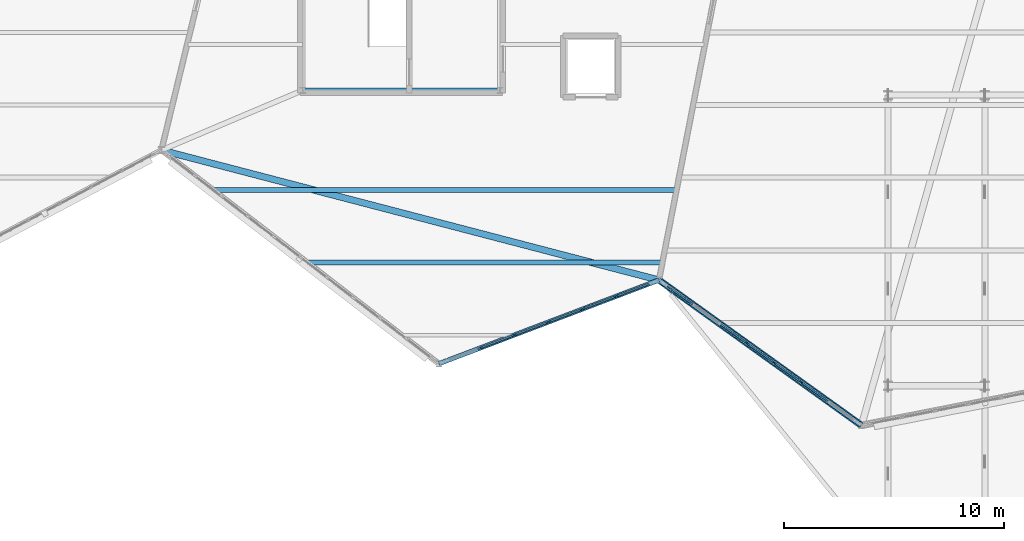
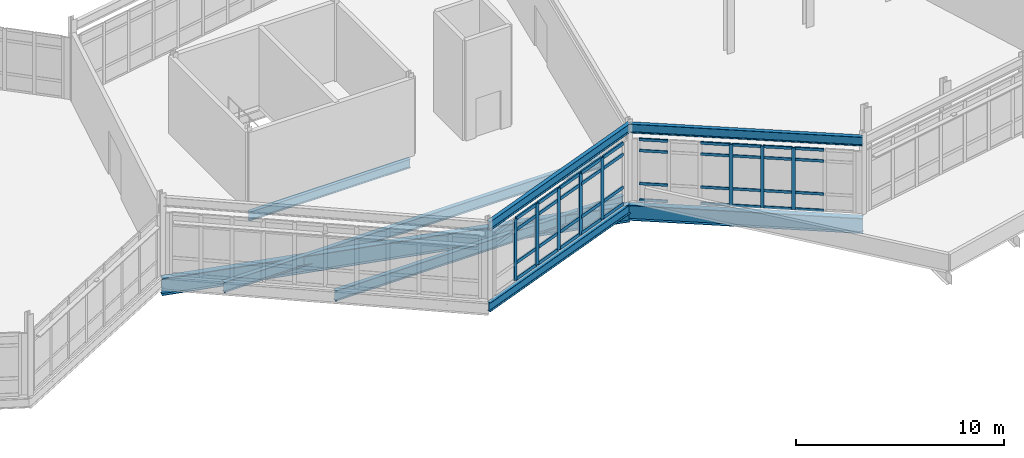
# One storey, part 21 of 76: 48 members, 8 beams, 2 elements without a shape of their own.
"""IFC4 building model written with IfcOpenShell, lengths in metres."""

from ifc_helpers import new_model, si_unit, direction, frame, origin, origin_2d, place, context, subcontext, project, spatial, rectangle, i_section, extrude, material, material_profile, profile_set, type_object, element, aggregate, save


model = new_model("IFC4")

# Units and contexts
model_context = context("Model", 3, precision=1e-05, world=origin(), true_north=direction((0.0, 1.0)))
body_context = subcontext(model_context, "Body", "Model", "MODEL_VIEW")
ifc_project = project(units=[si_unit("LENGTHUNIT", "METRE"), si_unit("AREAUNIT", "SQUARE_METRE"), si_unit("VOLUMEUNIT", "CUBIC_METRE"), si_unit("PLANEANGLEUNIT", "RADIAN"), si_unit("MASSUNIT", "GRAM", prefix="KILO")], contexts=[model_context])

# Site, building, storey
site_placement = place(None, origin())
site = spatial("IfcSite", under=ifc_project, at=site_placement, CompositionType="ELEMENT")
building_placement = place(site_placement, origin())
building = spatial("IfcBuilding", under=site, at=building_placement, Name="Tameran Prism Museum", CompositionType="ELEMENT")
storey_placement = place(building_placement, frame((0.0, 0.0, 15.0)))
storey = spatial("IfcBuildingStorey", under=building, at=storey_placement, Name="L03", CompositionType="ELEMENT", Elevation=15.0)

# Beams
ifc_material_1 = material(Name="Steel Grade 300PLUS (300 MPa)", Category="steel")
ifc_material_profile_1 = material_profile(ifc_material_1, i_section(OverallWidth=0.208984375, OverallDepth=0.532958984375, WebThickness=0.01025390625, FlangeThickness=0.015625, FilletRadius=0.013916015625, at=origin_2d()))
ifc_profile_set_1 = profile_set([ifc_material_profile_1])
beam_type_1 = type_object("IfcBeamType", Name="BM-SP530A", PredefinedType="SPANDREL", material=ifc_profile_set_1)
beam_1_placement = place(storey_placement, frame((110.699951171875, 18.5, -0.486572265625), z_axis=(0.934782064974, 0.355221749056, 0.0), x_axis=(-0.355221749056, 0.934782064974, 0.0)))
element("IfcBeam", 1, at=beam_1_placement, inside=storey, type_object=beam_type_1, Name="Perimeter Spandrel SP-0975", PredefinedType="SPANDREL", context=body_context, shape_type="SweptSolid", body=[
    extrude(i_section(OverallWidth=0.208984375, OverallDepth=0.532958984375, WebThickness=0.01025390625, FlangeThickness=0.015625, FilletRadius=0.013916015625, at=origin_2d()), origin(), (0.0, 0.0, 1.0), 10.69775390625),
])
ifc_material_2 = material(Name="Steel Grade 300PLUS (300 MPa)", Category="steel")
ifc_material_profile_2 = material_profile(ifc_material_2, i_section(OverallWidth=0.208984375, OverallDepth=0.528076171875, WebThickness=0.009521484375, FlangeThickness=0.01318359375, FilletRadius=0.013916015625, at=origin_2d()))
ifc_profile_set_2 = profile_set([ifc_material_profile_2])
beam_type_2 = type_object("IfcBeamType", Name="BM-SP530B", PredefinedType="SPANDREL", material=ifc_profile_set_2)
beam_2_placement = place(storey_placement, frame((110.699951171875, 18.5, 4.285888671875), z_axis=(0.934782064974, 0.355221749056, 0.0), x_axis=(-0.355221749056, 0.934782064974, 0.0)))
element("IfcBeam", 2, at=beam_2_placement, inside=storey, type_object=beam_type_2, Name="Roof Ring Beam RB-0979", PredefinedType="SPANDREL", context=body_context, shape_type="SweptSolid", body=[
    extrude(i_section(OverallWidth=0.208984375, OverallDepth=0.528076171875, WebThickness=0.009521484375, FlangeThickness=0.01318359375, FilletRadius=0.013916015625, at=origin_2d()), origin(), (0.0, 0.0, 1.0), 10.69775390625),
])
beam_3_placement = place(storey_placement, frame((120.699951171875, 22.300048828125, 4.256103515625), z_axis=(0.812532700231, -0.582915612293, 0.0), x_axis=(0.582915612293, 0.812532700231, 0.0)))
element("IfcBeam", 3, at=beam_3_placement, inside=storey, type_object=beam_type_2, Name="Roof Ring Beam RB-0989", PredefinedType="SPANDREL", context=body_context, shape_type="SweptSolid", body=[
    extrude(i_section(OverallWidth=0.208984375, OverallDepth=0.528076171875, WebThickness=0.009521484375, FlangeThickness=0.01318359375, FilletRadius=0.013916015625, at=origin_2d()), origin(), (0.0, 0.0, 1.0), 11.322509765625),
])
beam_4_placement = place(storey_placement, frame((104.52001953125, 30.919921875, -0.50390625), z_axis=(1.0, 0.0, 0.0), x_axis=(0.0, 1.0, 0.0)))
element("IfcBeam", 4, at=beam_4_placement, inside=storey, type_object=beam_type_2, Name="Core Ring Beam CTB-1034", PredefinedType="SPANDREL", context=body_context, shape_type="SweptSolid", body=[
    extrude(i_section(OverallWidth=0.208984375, OverallDepth=0.528076171875, WebThickness=0.009521484375, FlangeThickness=0.01318359375, FilletRadius=0.013916015625, at=origin_2d()), origin(), (0.0, 0.0, 1.0), 8.9599609375),
])
ifc_material_3 = material(Name="Steel Grade 300PLUS (300 MPa)", Category="steel")
ifc_material_profile_3 = material_profile(ifc_material_3, i_section(OverallWidth=0.22802734375, OverallDepth=0.60693359375, WebThickness=0.01123046875, FlangeThickness=0.017333984375, FilletRadius=0.013916015625, at=origin_2d()))
ifc_profile_set_3 = profile_set([ifc_material_profile_3])
beam_type_3 = type_object("IfcBeamType", Name="BM-UB610B", PredefinedType="BEAM", material=ifc_profile_set_3)
beam_5_placement = place(storey_placement, frame((104.7900390625, 23.10009765625, -0.5234375), z_axis=(1.0, 0.0, 0.0), x_axis=(0.0, 1.0, 0.0)))
element("IfcBeam", 5, at=beam_5_placement, inside=storey, type_object=beam_type_3, Name="Floor Beam BM-1105", PredefinedType="BEAM", context=body_context, shape_type="SweptSolid", body=[
    extrude(i_section(OverallWidth=0.22802734375, OverallDepth=0.60693359375, WebThickness=0.01123046875, FlangeThickness=0.017333984375, FilletRadius=0.013916015625, at=origin_2d()), origin(), (0.0, 0.0, 1.0), 16.02490234375),
])
beam_6_placement = place(storey_placement, frame((100.50390625, 26.39990234375, -0.5234375), z_axis=(1.0, 0.0, 0.0), x_axis=(0.0, 1.0, 0.0)))
element("IfcBeam", 6, at=beam_6_placement, inside=storey, type_object=beam_type_3, Name="Floor Beam BM-1106", PredefinedType="BEAM", context=body_context, shape_type="SweptSolid", body=[
    extrude(i_section(OverallWidth=0.22802734375, OverallDepth=0.60693359375, WebThickness=0.01123046875, FlangeThickness=0.017333984375, FilletRadius=0.013916015625, at=origin_2d()), origin(), (0.0, 0.0, 1.0), 20.9560546875),
])
ifc_material_4 = material(Name="Steel Grade 350 (350 MPa)", Category="steel")
ifc_material_profile_4 = material_profile(ifc_material_4, i_section(OverallWidth=0.300048828125, OverallDepth=1.0, WebThickness=0.01611328125, FlangeThickness=0.031982421875, at=origin_2d()))
ifc_profile_set_4 = profile_set([ifc_material_profile_4])
beam_type_4 = type_object("IfcBeamType", Name="BM-WB1000", PredefinedType="BEAM", material=ifc_profile_set_4)
beam_7_placement = place(storey_placement, frame((98.10009765625, 28.199951171875, -0.719970703125), z_axis=(0.967572413362, -0.252593794265, 0.0), x_axis=(0.252593794265, 0.967572413362, 0.0)))
element("IfcBeam", 7, at=beam_7_placement, inside=storey, type_object=beam_type_4, Name="Primary Vertex Girder PG-0982", PredefinedType="BEAM", context=body_context, shape_type="SweptSolid", body=[
    extrude(i_section(OverallWidth=0.300048828125, OverallDepth=1.0, WebThickness=0.01611328125, FlangeThickness=0.031982421875, at=origin_2d()), origin(), (0.0, 0.0, 1.0), 23.357177734375),
])
ifc_material_5 = material(Name="Steel Grade 350 (350 MPa)", Category="steel")
ifc_material_profile_5 = material_profile(ifc_material_5, i_section(OverallWidth=0.300048828125, OverallDepth=0.89990234375, WebThickness=0.011962890625, FlangeThickness=0.030029296875, at=origin_2d()))
ifc_profile_set_5 = profile_set([ifc_material_profile_5])
beam_type_5 = type_object("IfcBeamType", Name="BM-WB900", PredefinedType="BEAM", material=ifc_profile_set_5)
beam_8_placement = place(storey_placement, frame((120.699951171875, 22.300048828125, -0.669921875), z_axis=(0.812532700231, -0.582915612293, 0.0), x_axis=(0.582915612293, 0.812532700231, 0.0)))
element("IfcBeam", 8, at=beam_8_placement, inside=storey, type_object=beam_type_5, Name="Perimeter Spandrel SP-0984", PredefinedType="BEAM", context=body_context, shape_type="SweptSolid", body=[
    extrude(i_section(OverallWidth=0.300048828125, OverallDepth=0.89990234375, WebThickness=0.011962890625, FlangeThickness=0.030029296875, at=origin_2d()), origin(), (0.0, 0.0, 1.0), 11.322509765625),
])

# Curtain wall, members
ifc_material_6 = material(Name="Anodised Aluminium 6063-T6 and Cyclone Solar Glass", Category="aluminium")
curtain_wall_type_1 = type_object("IfcCurtainWallType", Name="CW-FAC-1056x362", PredefinedType="USERDEFINED", material=ifc_material_6)
curtain_wall_1_placement = place(storey_placement, origin())
curtain_wall_1 = element("IfcCurtainWall", 9, at=curtain_wall_1_placement, inside=storey, type_object=curtain_wall_type_1, Name="Unitised Curtain Wall CW-148", ObjectType="UNITISED CURTAIN WALL", PredefinedType="USERDEFINED")
ifc_material_7 = material(Name="Anodised Aluminium Alloy 6063-T6", Category="aluminium")
ifc_material_profile_6 = material_profile(ifc_material_7, rectangle(XDim=0.070068359375, YDim=0.179931640625, at=origin_2d()))
ifc_profile_set_6 = profile_set([ifc_material_profile_6])
member_type_1 = type_object("IfcMemberType", Name="CW-MUL-B", PredefinedType="MULLION", material=ifc_profile_set_6)
member_1_placement = place(storey_placement, frame((127.163818359375, 17.6630859375, 0.0), z_axis=(0.0, 0.0, 1.0), x_axis=(-0.582884776259, -0.812554821293, 0.0)))
member_1 = element("IfcMember", 10, at=member_1_placement, type_object=member_type_1, Name="CW-148 mullion 3", PredefinedType="MULLION", context=body_context, shape_type="SweptSolid", body=[
    extrude(rectangle(XDim=0.070068359375, YDim=0.179931640625, at=origin_2d()), origin(), (0.0, 0.0, 1.0), 3.6201171875),
])
member_2_placement = place(storey_placement, frame((125.9375, 18.542724609375, 0.0), z_axis=(0.0, 0.0, 1.0), x_axis=(-0.582884776259, -0.812554821293, 0.0)))
member_2 = element("IfcMember", 11, at=member_2_placement, type_object=member_type_1, Name="CW-148 mullion 4", PredefinedType="MULLION", context=body_context, shape_type="SweptSolid", body=[
    extrude(rectangle(XDim=0.070068359375, YDim=0.179931640625, at=origin_2d()), origin(), (0.0, 0.0, 1.0), 3.6201171875),
])
member_3_placement = place(storey_placement, frame((124.71142578125, 19.42236328125, 0.0), z_axis=(0.0, 0.0, 1.0), x_axis=(-0.582884776259, -0.812554821293, 0.0)))
member_3 = element("IfcMember", 12, at=member_3_placement, type_object=member_type_1, Name="CW-148 mullion 5", PredefinedType="MULLION", context=body_context, shape_type="SweptSolid", body=[
    extrude(rectangle(XDim=0.070068359375, YDim=0.179931640625, at=origin_2d()), origin(), (0.0, 0.0, 1.0), 3.6201171875),
])

ifc_material_8 = material(Name="Anodised Aluminium 6063-T6 and Cyclone Solar Glass", Category="aluminium")
curtain_wall_type_2 = type_object("IfcCurtainWallType", Name="CW-FAC-994x362", PredefinedType="USERDEFINED", material=ifc_material_8)
curtain_wall_2_placement = place(storey_placement, origin())
curtain_wall_2 = element("IfcCurtainWall", 13, at=curtain_wall_2_placement, inside=storey, type_object=curtain_wall_type_2, Name="Unitised Curtain Wall CW-146", ObjectType="UNITISED CURTAIN WALL", PredefinedType="USERDEFINED")
ifc_material_9 = material(Name="Anodised Aluminium Alloy 6063-T6", Category="aluminium")
ifc_material_profile_7 = material_profile(ifc_material_9, rectangle(XDim=0.080078125, YDim=0.219970703125, at=origin_2d()))
ifc_profile_set_7 = profile_set([ifc_material_profile_7])
member_type_2 = type_object("IfcMemberType", Name="CW-MUL-D", PredefinedType="MULLION", material=ifc_profile_set_7)
member_4_placement = place(storey_placement, frame((118.7685546875, 21.56640625, 0.0), z_axis=(0.0, 0.0, 1.0), x_axis=(0.355288098442, -0.934756849189, 0.0)))
member_4 = element("IfcMember", 14, at=member_4_placement, type_object=member_type_2, Name="CW-146 mullion 2", PredefinedType="MULLION", context=body_context, shape_type="SweptSolid", body=[
    extrude(rectangle(XDim=0.080078125, YDim=0.219970703125, at=origin_2d()), origin(), (0.0, 0.0, 1.0), 3.6201171875),
])
member_5_placement = place(storey_placement, frame((117.22021484375, 20.97802734375, 0.0), z_axis=(0.0, 0.0, 1.0), x_axis=(0.355288098442, -0.934756849189, 0.0)))
member_5 = element("IfcMember", 15, at=member_5_placement, type_object=member_type_2, Name="CW-146 mullion 3", PredefinedType="MULLION", context=body_context, shape_type="SweptSolid", body=[
    extrude(rectangle(XDim=0.080078125, YDim=0.219970703125, at=origin_2d()), origin(), (0.0, 0.0, 1.0), 3.6201171875),
])
member_6_placement = place(storey_placement, frame((115.672119140625, 20.389404296875, 0.0), z_axis=(0.0, 0.0, 1.0), x_axis=(0.355288098442, -0.934756849189, 0.0)))
member_6 = element("IfcMember", 16, at=member_6_placement, type_object=member_type_2, Name="CW-146 mullion 4", PredefinedType="MULLION", context=body_context, shape_type="SweptSolid", body=[
    extrude(rectangle(XDim=0.080078125, YDim=0.219970703125, at=origin_2d()), origin(), (0.0, 0.0, 1.0), 3.6201171875),
])
member_7_placement = place(storey_placement, frame((114.123779296875, 19.801025390625, 0.0), z_axis=(0.0, 0.0, 1.0), x_axis=(0.355288098442, -0.934756849189, 0.0)))
member_7 = element("IfcMember", 17, at=member_7_placement, type_object=member_type_2, Name="CW-146 mullion 5", PredefinedType="MULLION", context=body_context, shape_type="SweptSolid", body=[
    extrude(rectangle(XDim=0.080078125, YDim=0.219970703125, at=origin_2d()), origin(), (0.0, 0.0, 1.0), 3.6201171875),
])
member_8_placement = place(storey_placement, frame((112.575439453125, 19.21240234375, 0.0), z_axis=(0.0, 0.0, 1.0), x_axis=(0.355288098442, -0.934756849189, 0.0)))
member_8 = element("IfcMember", 18, at=member_8_placement, type_object=member_type_2, Name="CW-146 mullion 6", PredefinedType="MULLION", context=body_context, shape_type="SweptSolid", body=[
    extrude(rectangle(XDim=0.080078125, YDim=0.219970703125, at=origin_2d()), origin(), (0.0, 0.0, 1.0), 3.6201171875),
])

# Member
ifc_material_10 = material(Name="Anodised Aluminium Alloy 6063-T6", Category="aluminium")
ifc_material_profile_8 = material_profile(ifc_material_10, rectangle(XDim=0.070068359375, YDim=0.155029296875, at=origin_2d()))
ifc_profile_set_8 = profile_set([ifc_material_profile_8])
member_type_3 = type_object("IfcMemberType", Name="CW-TRN-B", PredefinedType="USERDEFINED", material=ifc_profile_set_8)
member_9_placement = place(storey_placement, frame((128.361328125, 16.803955078125, 0.034912109375), z_axis=(-0.812505058281, 0.582954140792, 0.0), x_axis=(-0.582954140792, -0.812505058281, 0.0)))
member_9 = element("IfcMember", 19, at=member_9_placement, type_object=member_type_3, Name="CW-148 transom 2.1", ObjectType="TRANSOM", PredefinedType="USERDEFINED", context=body_context, shape_type="SweptSolid", body=[
    extrude(rectangle(XDim=0.070068359375, YDim=0.155029296875, at=origin_2d()), origin(), (0.0, 0.0, 1.0), 1.43896484375),
])

member_10_placement = place(storey_placement, frame((128.361328125, 16.803955078125, 1.0), z_axis=(-0.812505058281, 0.582954140792, 0.0), x_axis=(-0.582954140792, -0.812505058281, 0.0)))
member_10 = element("IfcMember", 20, at=member_10_placement, type_object=member_type_3, Name="CW-148 transom 2.2", ObjectType="TRANSOM", PredefinedType="USERDEFINED", context=body_context, shape_type="SweptSolid", body=[
    extrude(rectangle(XDim=0.070068359375, YDim=0.155029296875, at=origin_2d()), origin(), (0.0, 0.0, 1.0), 1.43896484375),
])

member_11_placement = place(storey_placement, frame((128.361328125, 16.803955078125, 2.93994140625), z_axis=(-0.812505058281, 0.582954140792, 0.0), x_axis=(-0.582954140792, -0.812505058281, 0.0)))
member_11 = element("IfcMember", 21, at=member_11_placement, type_object=member_type_3, Name="CW-148 transom 2.3", ObjectType="TRANSOM", PredefinedType="USERDEFINED", context=body_context, shape_type="SweptSolid", body=[
    extrude(rectangle(XDim=0.070068359375, YDim=0.155029296875, at=origin_2d()), origin(), (0.0, 0.0, 1.0), 1.43896484375),
])

member_12_placement = place(storey_placement, frame((128.361328125, 16.803955078125, 3.5849609375), z_axis=(-0.812505058281, 0.582954140792, 0.0), x_axis=(-0.582954140792, -0.812505058281, 0.0)))
member_12 = element("IfcMember", 22, at=member_12_placement, type_object=member_type_3, Name="CW-148 transom 2.4", ObjectType="TRANSOM", PredefinedType="USERDEFINED", context=body_context, shape_type="SweptSolid", body=[
    extrude(rectangle(XDim=0.070068359375, YDim=0.155029296875, at=origin_2d()), origin(), (0.0, 0.0, 1.0), 1.43896484375),
])

member_13_placement = place(storey_placement, frame((127.13525390625, 17.68359375, 0.034912109375), z_axis=(-0.812585418836, 0.582842120213, 0.0), x_axis=(-0.582842120213, -0.812585418836, 0.0)))
member_13 = element("IfcMember", 23, at=member_13_placement, type_object=member_type_3, Name="CW-148 transom 3.1", ObjectType="TRANSOM", PredefinedType="USERDEFINED", context=body_context, shape_type="SweptSolid", body=[
    extrude(rectangle(XDim=0.070068359375, YDim=0.155029296875, at=origin_2d()), origin(), (0.0, 0.0, 1.0), 1.43896484375),
])

member_14_placement = place(storey_placement, frame((127.13525390625, 17.68359375, 1.0), z_axis=(-0.812585418836, 0.582842120213, 0.0), x_axis=(-0.582842120213, -0.812585418836, 0.0)))
member_14 = element("IfcMember", 24, at=member_14_placement, type_object=member_type_3, Name="CW-148 transom 3.2", ObjectType="TRANSOM", PredefinedType="USERDEFINED", context=body_context, shape_type="SweptSolid", body=[
    extrude(rectangle(XDim=0.070068359375, YDim=0.155029296875, at=origin_2d()), origin(), (0.0, 0.0, 1.0), 1.43896484375),
])

member_15_placement = place(storey_placement, frame((127.13525390625, 17.68359375, 2.93994140625), z_axis=(-0.812585418836, 0.582842120213, 0.0), x_axis=(-0.582842120213, -0.812585418836, 0.0)))
member_15 = element("IfcMember", 25, at=member_15_placement, type_object=member_type_3, Name="CW-148 transom 3.3", ObjectType="TRANSOM", PredefinedType="USERDEFINED", context=body_context, shape_type="SweptSolid", body=[
    extrude(rectangle(XDim=0.070068359375, YDim=0.155029296875, at=origin_2d()), origin(), (0.0, 0.0, 1.0), 1.43896484375),
])

member_16_placement = place(storey_placement, frame((127.13525390625, 17.68359375, 3.5849609375), z_axis=(-0.812585418836, 0.582842120213, 0.0), x_axis=(-0.582842120213, -0.812585418836, 0.0)))
member_16 = element("IfcMember", 26, at=member_16_placement, type_object=member_type_3, Name="CW-148 transom 3.4", ObjectType="TRANSOM", PredefinedType="USERDEFINED", context=body_context, shape_type="SweptSolid", body=[
    extrude(rectangle(XDim=0.070068359375, YDim=0.155029296875, at=origin_2d()), origin(), (0.0, 0.0, 1.0), 1.43896484375),
])

member_17_placement = place(storey_placement, frame((125.9091796875, 18.563232421875, 0.034912109375), z_axis=(-0.812643047192, 0.582761767663, 0.0), x_axis=(-0.582761767663, -0.812643047192, 0.0)))
member_17 = element("IfcMember", 27, at=member_17_placement, type_object=member_type_3, Name="CW-148 transom 4.1", ObjectType="TRANSOM", PredefinedType="USERDEFINED", context=body_context, shape_type="SweptSolid", body=[
    extrude(rectangle(XDim=0.070068359375, YDim=0.155029296875, at=origin_2d()), origin(), (0.0, 0.0, 1.0), 1.43896484375),
])

member_18_placement = place(storey_placement, frame((125.9091796875, 18.563232421875, 1.0), z_axis=(-0.812643047192, 0.582761767663, 0.0), x_axis=(-0.582761767663, -0.812643047192, 0.0)))
member_18 = element("IfcMember", 28, at=member_18_placement, type_object=member_type_3, Name="CW-148 transom 4.2", ObjectType="TRANSOM", PredefinedType="USERDEFINED", context=body_context, shape_type="SweptSolid", body=[
    extrude(rectangle(XDim=0.070068359375, YDim=0.155029296875, at=origin_2d()), origin(), (0.0, 0.0, 1.0), 1.43896484375),
])

member_19_placement = place(storey_placement, frame((125.9091796875, 18.563232421875, 2.93994140625), z_axis=(-0.812643047192, 0.582761767663, 0.0), x_axis=(-0.582761767663, -0.812643047192, 0.0)))
member_19 = element("IfcMember", 29, at=member_19_placement, type_object=member_type_3, Name="CW-148 transom 4.3", ObjectType="TRANSOM", PredefinedType="USERDEFINED", context=body_context, shape_type="SweptSolid", body=[
    extrude(rectangle(XDim=0.070068359375, YDim=0.155029296875, at=origin_2d()), origin(), (0.0, 0.0, 1.0), 1.43896484375),
])

member_20_placement = place(storey_placement, frame((125.9091796875, 18.563232421875, 3.5849609375), z_axis=(-0.812643047192, 0.582761767663, 0.0), x_axis=(-0.582761767663, -0.812643047192, 0.0)))
member_20 = element("IfcMember", 30, at=member_20_placement, type_object=member_type_3, Name="CW-148 transom 4.4", ObjectType="TRANSOM", PredefinedType="USERDEFINED", context=body_context, shape_type="SweptSolid", body=[
    extrude(rectangle(XDim=0.070068359375, YDim=0.155029296875, at=origin_2d()), origin(), (0.0, 0.0, 1.0), 1.43896484375),
])

member_21_placement = place(storey_placement, frame((124.68310546875, 19.442626953125, 0.034912109375), z_axis=(-0.812562703093, 0.58287378869, 0.0), x_axis=(-0.58287378869, -0.812562703093, 0.0)))
member_21 = element("IfcMember", 31, at=member_21_placement, type_object=member_type_3, Name="CW-148 transom 5.1", ObjectType="TRANSOM", PredefinedType="USERDEFINED", context=body_context, shape_type="SweptSolid", body=[
    extrude(rectangle(XDim=0.070068359375, YDim=0.155029296875, at=origin_2d()), origin(), (0.0, 0.0, 1.0), 1.439208984375),
])

member_22_placement = place(storey_placement, frame((124.68310546875, 19.442626953125, 1.0), z_axis=(-0.812562703093, 0.58287378869, 0.0), x_axis=(-0.58287378869, -0.812562703093, 0.0)))
member_22 = element("IfcMember", 32, at=member_22_placement, type_object=member_type_3, Name="CW-148 transom 5.2", ObjectType="TRANSOM", PredefinedType="USERDEFINED", context=body_context, shape_type="SweptSolid", body=[
    extrude(rectangle(XDim=0.070068359375, YDim=0.155029296875, at=origin_2d()), origin(), (0.0, 0.0, 1.0), 1.439208984375),
])

member_23_placement = place(storey_placement, frame((124.68310546875, 19.442626953125, 2.93994140625), z_axis=(-0.812562703093, 0.58287378869, 0.0), x_axis=(-0.58287378869, -0.812562703093, 0.0)))
member_23 = element("IfcMember", 33, at=member_23_placement, type_object=member_type_3, Name="CW-148 transom 5.3", ObjectType="TRANSOM", PredefinedType="USERDEFINED", context=body_context, shape_type="SweptSolid", body=[
    extrude(rectangle(XDim=0.070068359375, YDim=0.155029296875, at=origin_2d()), origin(), (0.0, 0.0, 1.0), 1.439208984375),
])

member_24_placement = place(storey_placement, frame((124.68310546875, 19.442626953125, 3.5849609375), z_axis=(-0.812562703093, 0.58287378869, 0.0), x_axis=(-0.58287378869, -0.812562703093, 0.0)))
member_24 = element("IfcMember", 34, at=member_24_placement, type_object=member_type_3, Name="CW-148 transom 5.4", ObjectType="TRANSOM", PredefinedType="USERDEFINED", context=body_context, shape_type="SweptSolid", body=[
    extrude(rectangle(XDim=0.070068359375, YDim=0.155029296875, at=origin_2d()), origin(), (0.0, 0.0, 1.0), 1.439208984375),
])

member_25_placement = place(storey_placement, frame((122.230712890625, 21.201904296875, 0.034912109375), z_axis=(-0.812568686332, 0.582865447589, 0.0), x_axis=(-0.582865447589, -0.812568686332, 0.0)))
member_25 = element("IfcMember", 35, at=member_25_placement, type_object=member_type_3, Name="CW-148 transom 7.1", ObjectType="TRANSOM", PredefinedType="USERDEFINED", context=body_context, shape_type="SweptSolid", body=[
    extrude(rectangle(XDim=0.070068359375, YDim=0.155029296875, at=origin_2d()), origin(), (0.0, 0.0, 1.0), 1.404052734375),
])

member_26_placement = place(storey_placement, frame((122.230712890625, 21.201904296875, 1.0), z_axis=(-0.812568686332, 0.582865447589, 0.0), x_axis=(-0.582865447589, -0.812568686332, 0.0)))
member_26 = element("IfcMember", 36, at=member_26_placement, type_object=member_type_3, Name="CW-148 transom 7.2", ObjectType="TRANSOM", PredefinedType="USERDEFINED", context=body_context, shape_type="SweptSolid", body=[
    extrude(rectangle(XDim=0.070068359375, YDim=0.155029296875, at=origin_2d()), origin(), (0.0, 0.0, 1.0), 1.404052734375),
])

member_27_placement = place(storey_placement, frame((122.230712890625, 21.201904296875, 2.93994140625), z_axis=(-0.812568686332, 0.582865447589, 0.0), x_axis=(-0.582865447589, -0.812568686332, 0.0)))
member_27 = element("IfcMember", 37, at=member_27_placement, type_object=member_type_3, Name="CW-148 transom 7.3", ObjectType="TRANSOM", PredefinedType="USERDEFINED", context=body_context, shape_type="SweptSolid", body=[
    extrude(rectangle(XDim=0.070068359375, YDim=0.155029296875, at=origin_2d()), origin(), (0.0, 0.0, 1.0), 1.404052734375),
])

member_28_placement = place(storey_placement, frame((122.230712890625, 21.201904296875, 3.5849609375), z_axis=(-0.812568686332, 0.582865447589, 0.0), x_axis=(-0.582865447589, -0.812568686332, 0.0)))
member_28 = element("IfcMember", 38, at=member_28_placement, type_object=member_type_3, Name="CW-148 transom 7.4", ObjectType="TRANSOM", PredefinedType="USERDEFINED", context=body_context, shape_type="SweptSolid", body=[
    extrude(rectangle(XDim=0.070068359375, YDim=0.155029296875, at=origin_2d()), origin(), (0.0, 0.0, 1.0), 1.404052734375),
])

aggregate(curtain_wall_1, [member_1, member_2, member_3, member_9, member_10, member_11, member_12, member_13, member_14, member_15, member_16, member_17, member_18, member_19, member_20, member_21, member_22, member_23, member_24, member_25, member_26, member_27, member_28])

ifc_material_11 = material(Name="Anodised Aluminium Alloy 6063-T6", Category="aluminium")
ifc_material_profile_9 = material_profile(ifc_material_11, rectangle(XDim=0.080078125, YDim=0.195068359375, at=origin_2d()))
ifc_profile_set_9 = profile_set([ifc_material_profile_9])
member_type_4 = type_object("IfcMemberType", Name="CW-TRN-D", PredefinedType="USERDEFINED", material=ifc_profile_set_9)
member_29_placement = place(storey_placement, frame((120.2421875, 22.12646484375, 0.0400390625), z_axis=(-0.934792023692, -0.355195541134, 0.0), x_axis=(0.355195541134, -0.934792023692, 0.0)))
member_29 = element("IfcMember", 39, at=member_29_placement, type_object=member_type_4, Name="CW-146 transom 1.1", ObjectType="TRANSOM", PredefinedType="USERDEFINED", context=body_context, shape_type="SweptSolid", body=[
    extrude(rectangle(XDim=0.080078125, YDim=0.195068359375, at=origin_2d()), origin(), (0.0, 0.0, 1.0), 1.5361328125),
])

member_30_placement = place(storey_placement, frame((120.2421875, 22.12646484375, 1.0), z_axis=(-0.934792023692, -0.355195541134, 0.0), x_axis=(0.355195541134, -0.934792023692, 0.0)))
member_30 = element("IfcMember", 40, at=member_30_placement, type_object=member_type_4, Name="CW-146 transom 1.2", ObjectType="TRANSOM", PredefinedType="USERDEFINED", context=body_context, shape_type="SweptSolid", body=[
    extrude(rectangle(XDim=0.080078125, YDim=0.195068359375, at=origin_2d()), origin(), (0.0, 0.0, 1.0), 1.5361328125),
])

member_31_placement = place(storey_placement, frame((120.2421875, 22.12646484375, 2.93994140625), z_axis=(-0.934792023692, -0.355195541134, 0.0), x_axis=(0.355195541134, -0.934792023692, 0.0)))
member_31 = element("IfcMember", 41, at=member_31_placement, type_object=member_type_4, Name="CW-146 transom 1.3", ObjectType="TRANSOM", PredefinedType="USERDEFINED", context=body_context, shape_type="SweptSolid", body=[
    extrude(rectangle(XDim=0.080078125, YDim=0.195068359375, at=origin_2d()), origin(), (0.0, 0.0, 1.0), 1.5361328125),
])

member_32_placement = place(storey_placement, frame((120.2421875, 22.12646484375, 3.580078125), z_axis=(-0.934792023692, -0.355195541134, 0.0), x_axis=(0.355195541134, -0.934792023692, 0.0)))
member_32 = element("IfcMember", 42, at=member_32_placement, type_object=member_type_4, Name="CW-146 transom 1.4", ObjectType="TRANSOM", PredefinedType="USERDEFINED", context=body_context, shape_type="SweptSolid", body=[
    extrude(rectangle(XDim=0.080078125, YDim=0.195068359375, at=origin_2d()), origin(), (0.0, 0.0, 1.0), 1.5361328125),
])

member_33_placement = place(storey_placement, frame((118.731201171875, 21.55224609375, 0.0400390625), z_axis=(-0.934747574265, -0.355312499646, 0.0), x_axis=(0.355312499646, -0.934747574265, 0.0)))
member_33 = element("IfcMember", 43, at=member_33_placement, type_object=member_type_4, Name="CW-146 transom 2.1", ObjectType="TRANSOM", PredefinedType="USERDEFINED", context=body_context, shape_type="SweptSolid", body=[
    extrude(rectangle(XDim=0.080078125, YDim=0.195068359375, at=origin_2d()), origin(), (0.0, 0.0, 1.0), 1.576171875),
])

member_34_placement = place(storey_placement, frame((118.731201171875, 21.55224609375, 1.0), z_axis=(-0.934747574265, -0.355312499646, 0.0), x_axis=(0.355312499646, -0.934747574265, 0.0)))
member_34 = element("IfcMember", 44, at=member_34_placement, type_object=member_type_4, Name="CW-146 transom 2.2", ObjectType="TRANSOM", PredefinedType="USERDEFINED", context=body_context, shape_type="SweptSolid", body=[
    extrude(rectangle(XDim=0.080078125, YDim=0.195068359375, at=origin_2d()), origin(), (0.0, 0.0, 1.0), 1.576171875),
])

member_35_placement = place(storey_placement, frame((118.731201171875, 21.55224609375, 2.93994140625), z_axis=(-0.934747574265, -0.355312499646, 0.0), x_axis=(0.355312499646, -0.934747574265, 0.0)))
member_35 = element("IfcMember", 45, at=member_35_placement, type_object=member_type_4, Name="CW-146 transom 2.3", ObjectType="TRANSOM", PredefinedType="USERDEFINED", context=body_context, shape_type="SweptSolid", body=[
    extrude(rectangle(XDim=0.080078125, YDim=0.195068359375, at=origin_2d()), origin(), (0.0, 0.0, 1.0), 1.576171875),
])

member_36_placement = place(storey_placement, frame((118.731201171875, 21.55224609375, 3.580078125), z_axis=(-0.934747574265, -0.355312499646, 0.0), x_axis=(0.355312499646, -0.934747574265, 0.0)))
member_36 = element("IfcMember", 46, at=member_36_placement, type_object=member_type_4, Name="CW-146 transom 2.4", ObjectType="TRANSOM", PredefinedType="USERDEFINED", context=body_context, shape_type="SweptSolid", body=[
    extrude(rectangle(XDim=0.080078125, YDim=0.195068359375, at=origin_2d()), origin(), (0.0, 0.0, 1.0), 1.576171875),
])

member_37_placement = place(storey_placement, frame((117.182861328125, 20.9638671875, 0.0400390625), z_axis=(-0.934747574265, -0.355312499646, 0.0), x_axis=(0.355312499646, -0.934747574265, 0.0)))
member_37 = element("IfcMember", 47, at=member_37_placement, type_object=member_type_4, Name="CW-146 transom 3.1", ObjectType="TRANSOM", PredefinedType="USERDEFINED", context=body_context, shape_type="SweptSolid", body=[
    extrude(rectangle(XDim=0.080078125, YDim=0.195068359375, at=origin_2d()), origin(), (0.0, 0.0, 1.0), 1.576171875),
])

member_38_placement = place(storey_placement, frame((117.182861328125, 20.9638671875, 1.0), z_axis=(-0.934747574265, -0.355312499646, 0.0), x_axis=(0.355312499646, -0.934747574265, 0.0)))
member_38 = element("IfcMember", 48, at=member_38_placement, type_object=member_type_4, Name="CW-146 transom 3.2", ObjectType="TRANSOM", PredefinedType="USERDEFINED", context=body_context, shape_type="SweptSolid", body=[
    extrude(rectangle(XDim=0.080078125, YDim=0.195068359375, at=origin_2d()), origin(), (0.0, 0.0, 1.0), 1.576171875),
])

member_39_placement = place(storey_placement, frame((117.182861328125, 20.9638671875, 2.93994140625), z_axis=(-0.934747574265, -0.355312499646, 0.0), x_axis=(0.355312499646, -0.934747574265, 0.0)))
member_39 = element("IfcMember", 49, at=member_39_placement, type_object=member_type_4, Name="CW-146 transom 3.3", ObjectType="TRANSOM", PredefinedType="USERDEFINED", context=body_context, shape_type="SweptSolid", body=[
    extrude(rectangle(XDim=0.080078125, YDim=0.195068359375, at=origin_2d()), origin(), (0.0, 0.0, 1.0), 1.576171875),
])

member_40_placement = place(storey_placement, frame((117.182861328125, 20.9638671875, 3.580078125), z_axis=(-0.934747574265, -0.355312499646, 0.0), x_axis=(0.355312499646, -0.934747574265, 0.0)))
member_40 = element("IfcMember", 50, at=member_40_placement, type_object=member_type_4, Name="CW-146 transom 3.4", ObjectType="TRANSOM", PredefinedType="USERDEFINED", context=body_context, shape_type="SweptSolid", body=[
    extrude(rectangle(XDim=0.080078125, YDim=0.195068359375, at=origin_2d()), origin(), (0.0, 0.0, 1.0), 1.576171875),
])

member_41_placement = place(storey_placement, frame((115.634521484375, 20.375244140625, 0.0400390625), z_axis=(-0.934747574265, -0.355312499646, 0.0), x_axis=(0.355312499646, -0.934747574265, 0.0)))
member_41 = element("IfcMember", 51, at=member_41_placement, type_object=member_type_4, Name="CW-146 transom 4.1", ObjectType="TRANSOM", PredefinedType="USERDEFINED", context=body_context, shape_type="SweptSolid", body=[
    extrude(rectangle(XDim=0.080078125, YDim=0.195068359375, at=origin_2d()), origin(), (0.0, 0.0, 1.0), 1.576171875),
])

member_42_placement = place(storey_placement, frame((115.634521484375, 20.375244140625, 1.0), z_axis=(-0.934747574265, -0.355312499646, 0.0), x_axis=(0.355312499646, -0.934747574265, 0.0)))
member_42 = element("IfcMember", 52, at=member_42_placement, type_object=member_type_4, Name="CW-146 transom 4.2", ObjectType="TRANSOM", PredefinedType="USERDEFINED", context=body_context, shape_type="SweptSolid", body=[
    extrude(rectangle(XDim=0.080078125, YDim=0.195068359375, at=origin_2d()), origin(), (0.0, 0.0, 1.0), 1.576171875),
])

member_43_placement = place(storey_placement, frame((115.634521484375, 20.375244140625, 2.93994140625), z_axis=(-0.934747574265, -0.355312499646, 0.0), x_axis=(0.355312499646, -0.934747574265, 0.0)))
member_43 = element("IfcMember", 53, at=member_43_placement, type_object=member_type_4, Name="CW-146 transom 4.3", ObjectType="TRANSOM", PredefinedType="USERDEFINED", context=body_context, shape_type="SweptSolid", body=[
    extrude(rectangle(XDim=0.080078125, YDim=0.195068359375, at=origin_2d()), origin(), (0.0, 0.0, 1.0), 1.576171875),
])

member_44_placement = place(storey_placement, frame((115.634521484375, 20.375244140625, 3.580078125), z_axis=(-0.934747574265, -0.355312499646, 0.0), x_axis=(0.355312499646, -0.934747574265, 0.0)))
member_44 = element("IfcMember", 54, at=member_44_placement, type_object=member_type_4, Name="CW-146 transom 4.4", ObjectType="TRANSOM", PredefinedType="USERDEFINED", context=body_context, shape_type="SweptSolid", body=[
    extrude(rectangle(XDim=0.080078125, YDim=0.195068359375, at=origin_2d()), origin(), (0.0, 0.0, 1.0), 1.576171875),
])

member_45_placement = place(storey_placement, frame((114.086181640625, 19.786865234375, 0.0400390625), z_axis=(-0.934747574265, -0.355312499646, 0.0), x_axis=(0.355312499646, -0.934747574265, 0.0)))
member_45 = element("IfcMember", 55, at=member_45_placement, type_object=member_type_4, Name="CW-146 transom 5.1", ObjectType="TRANSOM", PredefinedType="USERDEFINED", context=body_context, shape_type="SweptSolid", body=[
    extrude(rectangle(XDim=0.080078125, YDim=0.195068359375, at=origin_2d()), origin(), (0.0, 0.0, 1.0), 1.576171875),
])

member_46_placement = place(storey_placement, frame((114.086181640625, 19.786865234375, 1.0), z_axis=(-0.934747574265, -0.355312499646, 0.0), x_axis=(0.355312499646, -0.934747574265, 0.0)))
member_46 = element("IfcMember", 56, at=member_46_placement, type_object=member_type_4, Name="CW-146 transom 5.2", ObjectType="TRANSOM", PredefinedType="USERDEFINED", context=body_context, shape_type="SweptSolid", body=[
    extrude(rectangle(XDim=0.080078125, YDim=0.195068359375, at=origin_2d()), origin(), (0.0, 0.0, 1.0), 1.576171875),
])

member_47_placement = place(storey_placement, frame((114.086181640625, 19.786865234375, 2.93994140625), z_axis=(-0.934747574265, -0.355312499646, 0.0), x_axis=(0.355312499646, -0.934747574265, 0.0)))
member_47 = element("IfcMember", 57, at=member_47_placement, type_object=member_type_4, Name="CW-146 transom 5.3", ObjectType="TRANSOM", PredefinedType="USERDEFINED", context=body_context, shape_type="SweptSolid", body=[
    extrude(rectangle(XDim=0.080078125, YDim=0.195068359375, at=origin_2d()), origin(), (0.0, 0.0, 1.0), 1.576171875),
])

member_48_placement = place(storey_placement, frame((114.086181640625, 19.786865234375, 3.580078125), z_axis=(-0.934747574265, -0.355312499646, 0.0), x_axis=(0.355312499646, -0.934747574265, 0.0)))
member_48 = element("IfcMember", 58, at=member_48_placement, type_object=member_type_4, Name="CW-146 transom 5.4", ObjectType="TRANSOM", PredefinedType="USERDEFINED", context=body_context, shape_type="SweptSolid", body=[
    extrude(rectangle(XDim=0.080078125, YDim=0.195068359375, at=origin_2d()), origin(), (0.0, 0.0, 1.0), 1.576171875),
])

aggregate(curtain_wall_2, [member_4, member_5, member_6, member_7, member_8, member_29, member_30, member_31, member_32, member_33, member_34, member_35, member_36, member_37, member_38, member_39, member_40, member_41, member_42, member_43, member_44, member_45, member_46, member_47, member_48])

save(model, "model.ifc")
